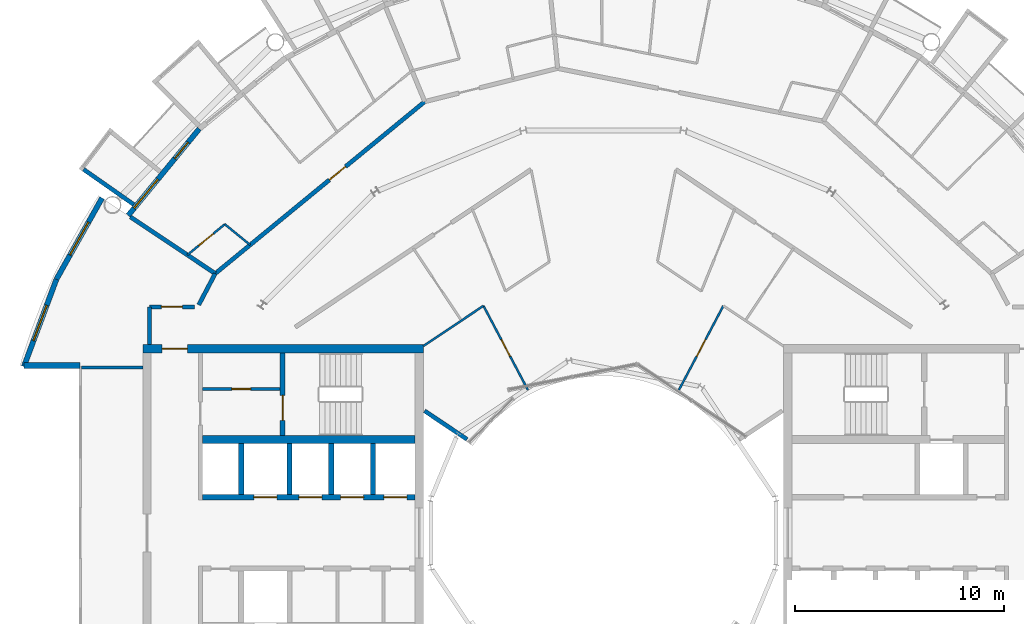
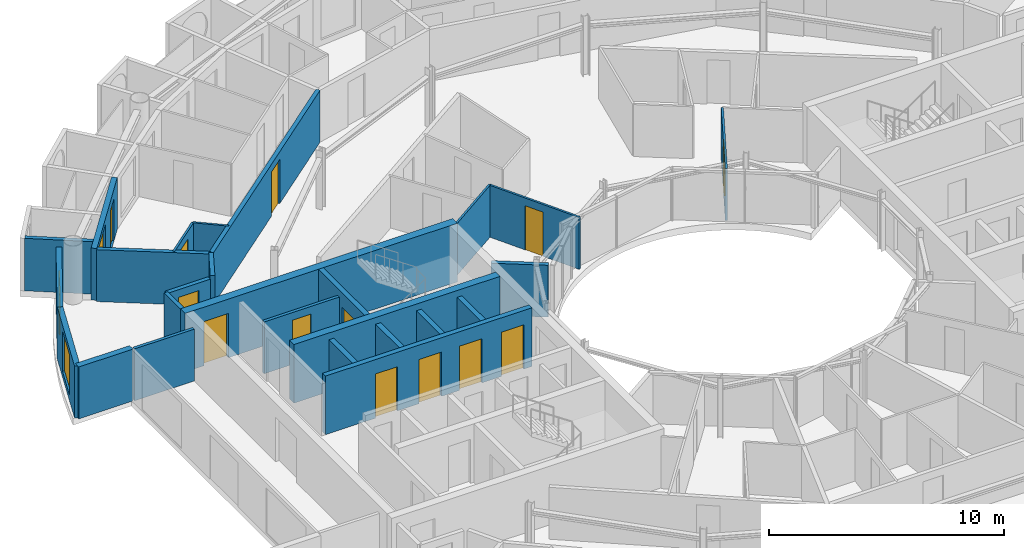
# One storey, part 20 of 28: 26 walls, 13 doors, 3 windows, 16 openings.
"""IFC4 building model written with IfcOpenShell, lengths in metres."""

from ifc_helpers import new_model, si_unit, direction, frame, frame_2d, origin, place, context, subcontext, project, spatial, rectangle, extrude, material, layer, layer_set, type_object, element, fill, save


model = new_model("IFC4")

# Units and contexts
model_context = context("Model", 3, precision=1e-05, world=origin(), true_north=direction((0.0, 1.0)))
body_context = subcontext(model_context, "Body", "Model", "MODEL_VIEW")
ifc_project = project(units=[si_unit("LENGTHUNIT", "METRE"), si_unit("AREAUNIT", "SQUARE_METRE"), si_unit("VOLUMEUNIT", "CUBIC_METRE"), si_unit("PLANEANGLEUNIT", "RADIAN"), si_unit("MASSUNIT", "GRAM", prefix="KILO")], contexts=[model_context])

# Site, building, storey
site_placement = place(None, origin())
site = spatial("IfcSite", under=ifc_project, at=site_placement, CompositionType="ELEMENT")
building_placement = place(site_placement, origin())
building = spatial("IfcBuilding", under=site, at=building_placement, Name="Maasbend Ring Residences", CompositionType="ELEMENT")
storey_placement = place(building_placement, frame((0.0, 0.0, 227.949951171875)))
storey = spatial("IfcBuildingStorey", under=building, at=storey_placement, Name="L65", CompositionType="ELEMENT", Elevation=227.949951171875)

# Wall, openings, doors
ifc_material_1 = material(Name="Concrete C50/60", Category="concrete")
ifc_layer_1 = layer(ifc_material_1, 0.25)
ifc_layer_set_1 = layer_set([ifc_layer_1], Name="Concrete C50/60")
wall_type_1 = type_object("IfcWallType", Name="CORE WALL 250 C50/60", PredefinedType="SHEAR", material=ifc_layer_set_1)
wall_1_placement = place(storey_placement, frame((-9.0, 1.699951171875, 0.0), z_axis=(0.0, 0.0, 1.0), x_axis=(-1.0, 0.0, 0.0)))
wall_1 = element("IfcWall", 1, at=wall_1_placement, inside=storey, type_object=wall_type_1, Name="L65 core W wall SPS", PredefinedType="SHEAR", context=body_context, shape_type="SweptSolid", body=[
    extrude(rectangle(XDim=10.14990234375, YDim=0.25, at=frame_2d((5.074951171875, 0.0))), origin(), (0.0, 0.0, 1.0), 3.050048828125),
])
opening_1_placement = place(wall_1_placement, frame((0.387451171875, 0.0, 0.0)))
opening_1 = element("IfcOpeningElement", 2, at=opening_1_placement, cuts=wall_1, Name="Opening LD-W6502", PredefinedType="OPENING", context=body_context, shape_type="SweptSolid", body=[
    extrude(rectangle(XDim=1.10009765625, YDim=2.300048828125, at=frame_2d((0.550048828125, 1.14990234375))), frame((0.0, 0.135009765625, 0.0), z_axis=(0.0, -1.0, 0.0), x_axis=(1.0, 0.0, 0.0)), (0.0, 0.0, 1.0), 0.27001953125),
])
opening_2_placement = place(wall_1_placement, frame((2.449951171875, 0.0, 0.0)))
opening_2 = element("IfcOpeningElement", 3, at=opening_2_placement, cuts=wall_1, Name="Opening LD-W6503", PredefinedType="OPENING", context=body_context, shape_type="SweptSolid", body=[
    extrude(rectangle(XDim=1.10009765625, YDim=2.300048828125, at=frame_2d((0.550048828125, 1.14990234375))), frame((0.0, 0.135009765625, 0.0), z_axis=(0.0, -1.0, 0.0), x_axis=(1.0, 0.0, 0.0)), (0.0, 0.0, 1.0), 0.27001953125),
])
opening_3_placement = place(wall_1_placement, frame((4.449951171875, 0.0, 0.0)))
opening_3 = element("IfcOpeningElement", 4, at=opening_3_placement, cuts=wall_1, Name="Opening LD-W6504", PredefinedType="OPENING", context=body_context, shape_type="SweptSolid", body=[
    extrude(rectangle(XDim=1.10009765625, YDim=2.300048828125, at=frame_2d((0.550048828125, 1.14990234375))), frame((0.0, 0.135009765625, 0.0), z_axis=(0.0, -1.0, 0.0), x_axis=(1.0, 0.0, 0.0)), (0.0, 0.0, 1.0), 0.27001953125),
])
opening_4_placement = place(wall_1_placement, frame((6.60009765625, 0.0, 0.0)))
opening_4 = element("IfcOpeningElement", 5, at=opening_4_placement, cuts=wall_1, Name="Opening LD-W6505", PredefinedType="OPENING", context=body_context, shape_type="SweptSolid", body=[
    extrude(rectangle(XDim=1.10009765625, YDim=2.300048828125, at=frame_2d((0.550048828125, 1.14990234375))), frame((0.0, 0.135009765625, 0.0), z_axis=(0.0, -1.0, 0.0), x_axis=(1.0, 0.0, 0.0)), (0.0, 0.0, 1.0), 0.27001953125),
])
ifc_material_2 = material(Name="Stainless steel 316", Category="steel")
door_type_1 = type_object("IfcDoorType", Name="LANDING DOOR 1100 X 2300 FD60", OperationType="DOUBLE_DOOR_SLIDING", PredefinedType="DOOR", material=ifc_material_2)
door_1_placement = place(opening_1_placement, origin())
door_1 = element("IfcDoor", 6, at=door_1_placement, inside=storey, type_object=door_type_1, Name="Landing door HR-W1 L65", OperationType="DOUBLE_DOOR_SLIDING", OverallHeight=2.300048828125, OverallWidth=1.10009765625, PredefinedType="DOOR", context=body_context, shape_type="SweptSolid", body=[
    extrude(rectangle(XDim=1.10009765625, YDim=2.300048828125, at=frame_2d((0.550048828125, 1.14990234375))), frame((0.0, 0.02490234375, 0.0), z_axis=(0.0, -1.0, 0.0), x_axis=(1.0, 0.0, 0.0)), (0.0, 0.0, 1.0), 0.050048828125),
])
fill(opening_1, door_1)
door_2_placement = place(opening_2_placement, origin())
door_2 = element("IfcDoor", 7, at=door_2_placement, inside=storey, type_object=door_type_1, Name="Landing door HR-W2 L65", OperationType="DOUBLE_DOOR_SLIDING", OverallHeight=2.300048828125, OverallWidth=1.10009765625, PredefinedType="DOOR", context=body_context, shape_type="SweptSolid", body=[
    extrude(rectangle(XDim=1.10009765625, YDim=2.300048828125, at=frame_2d((0.550048828125, 1.14990234375))), frame((0.0, 0.02490234375, 0.0), z_axis=(0.0, -1.0, 0.0), x_axis=(1.0, 0.0, 0.0)), (0.0, 0.0, 1.0), 0.050048828125),
])
fill(opening_2, door_2)
door_3_placement = place(opening_3_placement, origin())
door_3 = element("IfcDoor", 8, at=door_3_placement, inside=storey, type_object=door_type_1, Name="Landing door HR-W3 L65", OperationType="DOUBLE_DOOR_SLIDING", OverallHeight=2.300048828125, OverallWidth=1.10009765625, PredefinedType="DOOR", context=body_context, shape_type="SweptSolid", body=[
    extrude(rectangle(XDim=1.10009765625, YDim=2.300048828125, at=frame_2d((0.550048828125, 1.14990234375))), frame((0.0, 0.02490234375, 0.0), z_axis=(0.0, -1.0, 0.0), x_axis=(1.0, 0.0, 0.0)), (0.0, 0.0, 1.0), 0.050048828125),
])
fill(opening_3, door_3)
door_4_placement = place(opening_4_placement, origin())
door_4 = element("IfcDoor", 9, at=door_4_placement, inside=storey, type_object=door_type_1, Name="Landing door SV-W L65", OperationType="DOUBLE_DOOR_SLIDING", OverallHeight=2.300048828125, OverallWidth=1.10009765625, PredefinedType="DOOR", context=body_context, shape_type="SweptSolid", body=[
    extrude(rectangle(XDim=1.10009765625, YDim=2.300048828125, at=frame_2d((0.550048828125, 1.14990234375))), frame((0.0, 0.02490234375, 0.0), z_axis=(0.0, -1.0, 0.0), x_axis=(1.0, 0.0, 0.0)), (0.0, 0.0, 1.0), 0.050048828125),
])
fill(opening_4, door_4)

# Wall, opening, door
wall_2_placement = place(storey_placement, frame((-15.324951171875, 8.60009765625, 0.0), z_axis=(0.0, 0.0, 1.0), x_axis=(0.0, -1.0, 0.0)))
wall_2 = element("IfcWall", 10, at=wall_2_placement, inside=storey, type_object=wall_type_1, Name="L65 core W wall STES", PredefinedType="SHEAR", context=body_context, shape_type="SweptSolid", body=[
    extrude(rectangle(XDim=3.9501953125, YDim=0.25, at=frame_2d((1.97509765625, 0.0))), origin(), (0.0, 0.0, 1.0), 3.050048828125),
])
opening_5_placement = place(wall_2_placement, frame((2.02490234375, 0.0, 0.0)))
opening_5 = element("IfcOpeningElement", 11, at=opening_5_placement, cuts=wall_2, Name="Opening D-W6512", PredefinedType="OPENING", context=body_context, shape_type="SweptSolid", body=[
    extrude(rectangle(XDim=1.199951171875, YDim=2.300048828125, at=frame_2d((0.60009765625, 1.14990234375))), frame((0.0, 0.135009765625, 0.0), z_axis=(0.0, -1.0, 0.0), x_axis=(1.0, 0.0, 0.0)), (0.0, 0.0, 1.0), 0.27001953125),
])
ifc_material_3 = material(Name="Steel, powder coated", Category="steel")
door_type_2 = type_object("IfcDoorType", Name="STAIR DOOR 1200 X 2300 FD60", OperationType="NOTDEFINED", PredefinedType="DOOR", material=ifc_material_3)
door_5_placement = place(opening_5_placement, origin())
door_5 = element("IfcDoor", 12, at=door_5_placement, inside=storey, type_object=door_type_2, Name="Stair door ST-W L65", OperationType="SINGLE_SWING_LEFT", OverallHeight=2.300048828125, OverallWidth=1.199951171875, PredefinedType="DOOR", context=body_context, shape_type="SweptSolid", body=[
    extrude(rectangle(XDim=1.199951171875, YDim=2.300048828125, at=frame_2d((0.60009765625, 1.14990234375))), frame((0.0, 0.02490234375, 0.0), z_axis=(0.0, -1.0, 0.0), x_axis=(1.0, 0.0, 0.0)), (0.0, 0.0, 1.0), 0.050048828125),
])
fill(opening_5, door_5)

# Wall
ifc_material_4 = material(Name="Concrete C50/60", Category="concrete")
ifc_layer_2 = layer(ifc_material_4, 0.375)
ifc_layer_set_2 = layer_set([ifc_layer_2], Name="Concrete C50/60")
wall_type_2 = type_object("IfcWallType", Name="CORE WALL 375 C50/60", PredefinedType="SHEAR", material=ifc_layer_set_2)
wall_3_placement = place(storey_placement, frame((-9.0, 4.46240234375, 0.0), z_axis=(0.0, 0.0, 1.0), x_axis=(-1.0, 0.0, 0.0)))
element("IfcWall", 13, at=wall_3_placement, inside=storey, type_object=wall_type_2, Name="L65 core W wall BS", PredefinedType="SHEAR", context=body_context, shape_type="SweptSolid", body=[
    extrude(rectangle(XDim=10.14990234375, YDim=0.375, at=frame_2d((5.074951171875, 0.0))), origin(), (0.0, 0.0, 1.0), 3.050048828125),
])

# Wall, opening, door
ifc_material_5 = material(Name="Concrete C50/60", Category="concrete")
ifc_layer_3 = layer(ifc_material_5, 0.39990234375)
ifc_layer_set_3 = layer_set([ifc_layer_3], Name="Concrete C50/60")
wall_type_3 = type_object("IfcWallType", Name="CORE WALL 400 C50/60", PredefinedType="SHEAR", material=ifc_layer_set_3)
wall_4_placement = place(storey_placement, frame((-8.60009765625, 8.800048828125, 0.0), z_axis=(0.0, 0.0, 1.0), x_axis=(-1.0, 0.0, 0.0)))
wall_4 = element("IfcWall", 14, at=wall_4_placement, inside=storey, type_object=wall_type_3, Name="L65 core W wall PS", PredefinedType="SHEAR", context=body_context, shape_type="SweptSolid", body=[
    extrude(rectangle(XDim=13.39990234375, YDim=0.39990234375, at=frame_2d((6.699951171875, 0.0))), origin(), (0.0, 0.0, 1.0), 3.050048828125),
])
opening_6_placement = place(wall_4_placement, frame((11.27490234375, 0.0, 0.0)))
opening_6 = element("IfcOpeningElement", 15, at=opening_6_placement, cuts=wall_4, Name="Opening D-W6516", PredefinedType="OPENING", context=body_context, shape_type="SweptSolid", body=[
    extrude(rectangle(XDim=1.199951171875, YDim=2.300048828125, at=frame_2d((0.60009765625, 1.14990234375))), frame((0.0, 0.2099609375, 0.0), z_axis=(0.0, -1.0, 0.0), x_axis=(1.0, 0.0, 0.0)), (0.0, 0.0, 1.0), 0.419921875),
])
ifc_material_6 = material(Name="Steel, powder coated", Category="steel")
door_type_3 = type_object("IfcDoorType", Name="CORRIDOR DOOR 1200 X 2300 FD30S", OperationType="NOTDEFINED", PredefinedType="DOOR", material=ifc_material_6)
door_6_placement = place(opening_6_placement, origin())
door_6 = element("IfcDoor", 16, at=door_6_placement, inside=storey, type_object=door_type_3, Name="Corridor door L65", OperationType="SINGLE_SWING_LEFT", OverallHeight=2.300048828125, OverallWidth=1.199951171875, PredefinedType="DOOR", context=body_context, shape_type="SweptSolid", body=[
    extrude(rectangle(XDim=1.199951171875, YDim=2.300048828125, at=frame_2d((0.60009765625, 1.14990234375))), frame((0.0, 0.02490234375, 0.0), z_axis=(0.0, -1.0, 0.0), x_axis=(1.0, 0.0, 0.0)), (0.0, 0.0, 1.0), 0.050048828125),
])
fill(opening_6, door_6)

ifc_material_7 = material(Name="Concrete C30/37", Category="concrete")
ifc_layer_4 = layer(ifc_material_7, 0.199951171875)
ifc_layer_set_4 = layer_set([ifc_layer_4], Name="Concrete C30/37")
wall_type_4 = type_object("IfcWallType", Name="CORRIDOR WALL 200 CONCRETE", PredefinedType="PARTITIONING", material=ifc_layer_set_4)
wall_5_placement = place(storey_placement, frame((-21.675048828125, 10.800048828125, 0.0), z_axis=(0.0, 0.0, 1.0), x_axis=(1.0, 0.0, 0.0)))
wall_5 = element("IfcWall", 17, at=wall_5_placement, inside=storey, type_object=wall_type_4, Name="U-L65-w085", PredefinedType="PARTITIONING", context=body_context, shape_type="SweptSolid", body=[
    extrude(rectangle(XDim=2.132080078125, YDim=0.199951171875, at=frame_2d((1.06591796875, 0.0))), origin(), (0.0, 0.0, 1.0), 2.699951171875),
])
opening_7_placement = place(wall_5_placement, frame((0.56591796875, 0.0, 0.0)))
opening_7 = element("IfcOpeningElement", 18, at=opening_7_placement, cuts=wall_5, Name="Opening D-6558", PredefinedType="OPENING", context=body_context, shape_type="SweptSolid", body=[
    extrude(rectangle(XDim=1.0, YDim=2.300048828125, at=frame_2d((0.5, 1.14990234375))), frame((0.0, 0.10986328125, 0.0), z_axis=(0.0, -1.0, 0.0), x_axis=(1.0, 0.0, 0.0)), (0.0, 0.0, 1.0), 0.219970703125),
])
ifc_material_8 = material(Name="Timber, painted", Category="wood")
door_type_4 = type_object("IfcDoorType", Name="ROOM DOOR 1000 X 2300", OperationType="NOTDEFINED", PredefinedType="DOOR", material=ifc_material_8)
door_7_placement = place(opening_7_placement, origin())
door_7 = element("IfcDoor", 19, at=door_7_placement, inside=storey, type_object=door_type_4, Name="D-6558", OperationType="SINGLE_SWING_LEFT", OverallHeight=2.300048828125, OverallWidth=1.0, PredefinedType="DOOR", context=body_context, shape_type="SweptSolid", body=[
    extrude(rectangle(XDim=1.0, YDim=2.300048828125, at=frame_2d((0.5, 1.14990234375))), frame((0.0, 0.02490234375, 0.0), z_axis=(0.0, -1.0, 0.0), x_axis=(1.0, 0.0, 0.0)), (0.0, 0.0, 1.0), 0.050048828125),
])
fill(opening_7, door_7)

wall_6_placement = place(storey_placement, frame((-18.5419921875, 12.388916015625, 0.0), z_axis=(0.0, 0.0, 1.0), x_axis=(0.772983503654, 0.634426121056, 0.0)))
wall_6 = element("IfcWall", 20, at=wall_6_placement, inside=storey, type_object=wall_type_4, Name="U-L65-w093", PredefinedType="PARTITIONING", context=body_context, shape_type="SweptSolid", body=[
    extrude(rectangle(XDim=12.947265625, YDim=0.199951171875, at=frame_2d((6.4736328125, 0.0))), origin(), (0.0, 0.0, 1.0), 2.699951171875),
])
opening_8_placement = place(wall_6_placement, frame((7.052978515625, 0.0, 0.0)))
opening_8 = element("IfcOpeningElement", 21, at=opening_8_placement, cuts=wall_6, Name="Opening D-6514", PredefinedType="OPENING", context=body_context, shape_type="SweptSolid", body=[
    extrude(rectangle(XDim=1.0, YDim=2.300048828125, at=frame_2d((0.5, 1.14990234375))), frame((0.0, 0.10986328125, 0.0), z_axis=(0.0, -1.0, 0.0), x_axis=(1.0, 0.0, 0.0)), (0.0, 0.0, 1.0), 0.219970703125),
])
ifc_material_9 = material(Name="Timber, fire-rated, painted", Category="wood")
door_type_5 = type_object("IfcDoorType", Name="FLAT ENTRANCE DOOR 1000 X 2300 FIRE-RATED", OperationType="NOTDEFINED", PredefinedType="DOOR", material=ifc_material_9)
door_8_placement = place(opening_8_placement, origin())
door_8 = element("IfcDoor", 22, at=door_8_placement, inside=storey, type_object=door_type_5, Name="D-6514", OperationType="SINGLE_SWING_RIGHT", OverallHeight=2.300048828125, OverallWidth=1.0, PredefinedType="DOOR", context=body_context, shape_type="SweptSolid", body=[
    extrude(rectangle(XDim=1.0, YDim=2.300048828125, at=frame_2d((0.5, 1.14990234375))), frame((0.0, 0.02490234375, 0.0), z_axis=(0.0, -1.0, 0.0), x_axis=(1.0, 0.0, 0.0)), (0.0, 0.0, 1.0), 0.050048828125),
])
fill(opening_8, door_8)

# Walls
wall_7_placement = place(storey_placement, frame((-21.675048828125, 9.0, 0.0), z_axis=(0.0, 0.0, 1.0), x_axis=(0.0, 1.0, 0.0)))
element("IfcWall", 23, at=wall_7_placement, inside=storey, type_object=wall_type_4, Name="U-L65-w097", PredefinedType="PARTITIONING", context=body_context, shape_type="SweptSolid", body=[
    extrude(rectangle(XDim=1.800048828125, YDim=0.199951171875, at=frame_2d((0.89990234375, 0.0))), origin(), (0.0, 0.0, 1.0), 2.699951171875),
])
wall_8_placement = place(storey_placement, frame((-19.327880859375, 10.89599609375, 0.0), z_axis=(0.0, 0.0, 1.0), x_axis=(0.465812036273, 0.88488369115, 0.0)))
element("IfcWall", 24, at=wall_8_placement, inside=storey, type_object=wall_type_4, Name="U-L65-w099", PredefinedType="PARTITIONING", context=body_context, shape_type="SweptSolid", body=[
    extrude(rectangle(XDim=1.687255859375, YDim=0.199951171875, at=frame_2d((0.84375, 0.0))), origin(), (0.0, 0.0, 1.0), 2.699951171875),
])
ifc_material_10 = material(Name="Pale anodised aluminium panel", Category="aluminium")
ifc_layer_5 = layer(ifc_material_10, 0.199951171875)
ifc_layer_set_5 = layer_set([ifc_layer_5], Name="EW-BOX")
wall_type_5 = type_object("IfcWallType", Name="EW-BOX", PredefinedType="SOLIDWALL", material=ifc_layer_set_5)
wall_9_placement = place(storey_placement, frame((-22.43310546875, 15.68798828125, -0.030029296875), z_axis=(0.0, 0.0, 1.0), x_axis=(-0.819373043115, 0.573260687834, 0.0)))
element("IfcWall", 25, at=wall_9_placement, inside=storey, type_object=wall_type_5, Name="Box side wall N20 right", PredefinedType="SOLIDWALL", context=body_context, shape_type="SweptSolid", body=[
    extrude(rectangle(XDim=2.92529296875, YDim=0.199951171875, at=frame_2d((1.462646484375, 0.0))), origin(), (0.0, 0.0, 1.0), 2.72998046875),
])

# Wall, openings, door, window
ifc_material_11 = material(Name="Aluminium clad insulated panel", Category="aluminium")
ifc_layer_6 = layer(ifc_material_11, 0.25)
ifc_layer_set_6 = layer_set([ifc_layer_6], Name="EW-GL")
wall_type_6 = type_object("IfcWallType", Name="EW-GL", PredefinedType="SOLIDWALL", material=ifc_layer_set_6)
wall_10_placement = place(storey_placement, frame((-19.303955078125, 19.303955078125, 0.0), z_axis=(0.0, 0.0, 1.0), x_axis=(-0.634382322723, -0.773019449054, 0.0)))
wall_10 = element("IfcWall", 26, at=wall_10_placement, inside=storey, type_object=wall_type_6, Name="External wall N10", PredefinedType="SOLIDWALL", context=body_context, shape_type="SweptSolid", body=[
    extrude(rectangle(XDim=5.351806640625, YDim=0.25, at=frame_2d((2.67578125, 0.0))), origin(), (0.0, 0.0, 1.0), 2.699951171875),
])
opening_9_placement = place(wall_10_placement, frame((0.841064453125, 0.0, 0.0)))
opening_9 = element("IfcOpeningElement", 27, at=opening_9_placement, cuts=wall_10, Name="Opening D-LG", PredefinedType="OPENING", context=body_context, shape_type="SweptSolid", body=[
    extrude(rectangle(XDim=1.0, YDim=2.199951171875, at=frame_2d((0.5, 1.10009765625))), frame((0.0, 0.135009765625, 0.0), z_axis=(0.0, -1.0, 0.0), x_axis=(1.0, 0.0, 0.0)), (0.0, 0.0, 1.0), 0.27001953125),
])
opening_10_placement = place(wall_10_placement, frame((3.110595703125, 0.0, 0.300048828125)))
opening_10 = element("IfcOpeningElement", 28, at=opening_10_placement, cuts=wall_10, Name="Opening W-BX", PredefinedType="OPENING", context=body_context, shape_type="SweptSolid", body=[
    extrude(rectangle(XDim=1.800048828125, YDim=2.10009765625, at=frame_2d((0.89990234375, 1.050048828125))), frame((0.0, 0.135009765625, 0.0), z_axis=(0.0, -1.0, 0.0), x_axis=(1.0, 0.0, 0.0)), (0.0, 0.0, 1.0), 0.27001953125),
])
ifc_material_12 = material(Name="Aluminium and clear glass", Category="aluminium")
door_type_6 = type_object("IfcDoorType", Name="D-LG", OperationType="SINGLE_SWING_LEFT", PredefinedType="DOOR", material=ifc_material_12)
door_9_placement = place(opening_9_placement, origin())
door_9 = element("IfcDoor", 29, at=door_9_placement, inside=storey, type_object=door_type_6, Name="Loggia door N19", OperationType="SINGLE_SWING_LEFT", OverallHeight=2.199951171875, OverallWidth=1.0, PredefinedType="DOOR", context=body_context, shape_type="SweptSolid", body=[
    extrude(rectangle(XDim=1.0, YDim=2.199951171875, at=frame_2d((0.5, 1.10009765625))), frame((0.0, 0.02490234375, 0.0), z_axis=(0.0, -1.0, 0.0), x_axis=(1.0, 0.0, 0.0)), (0.0, 0.0, 1.0), 0.050048828125),
])
fill(opening_9, door_9)
ifc_material_13 = material(Name="Aluminium and clear glass", Category="aluminium")
window_type = type_object("IfcWindowType", Name="W-BX", PartitioningType="DOUBLE_PANEL_VERTICAL", PredefinedType="WINDOW", material=ifc_material_13)
window_1_placement = place(opening_10_placement, origin())
window_1 = element("IfcWindow", 30, at=window_1_placement, inside=storey, type_object=window_type, Name="Window N20 room to box", OverallHeight=2.10009765625, OverallWidth=1.800048828125, PartitioningType="SINGLE_PANEL", PredefinedType="WINDOW", context=body_context, shape_type="SweptSolid", body=[
    extrude(rectangle(XDim=1.800048828125, YDim=2.10009765625, at=frame_2d((0.89990234375, 1.050048828125))), frame((0.0, 0.030029296875, 0.0), z_axis=(0.0, -1.0, 0.0), x_axis=(1.0, 0.0, 0.0)), (0.0, 0.0, 1.0), 0.06005859375),
])
fill(opening_10, window_1)

# Wall, opening, window
ifc_material_14 = material(Name="Aluminium clad insulated panel", Category="aluminium")
ifc_layer_7 = layer(ifc_material_14, 0.25)
ifc_layer_set_7 = layer_set([ifc_layer_7], Name="EW-HORN")
wall_type_7 = type_object("IfcWallType", Name="EW-HORN", PredefinedType="SOLIDWALL", material=ifc_layer_set_7)
wall_11_placement = place(storey_placement, frame((-23.946044921875, 16.0, 0.0), z_axis=(0.0, 0.0, 1.0), x_axis=(-0.489696356642, -0.871893042919, 0.0)))
wall_11 = element("IfcWall", 31, at=wall_11_placement, inside=storey, type_object=wall_type_7, Name="Horn wall 4.1", PredefinedType="SOLIDWALL", context=body_context, shape_type="SweptSolid", body=[
    extrude(rectangle(XDim=4.45361328125, YDim=0.25, at=frame_2d((2.226806640625, 0.0))), origin(), (0.0, 0.0, 1.0), 2.699951171875),
])
opening_11_placement = place(wall_11_placement, frame((1.32666015625, 0.0, 0.300048828125)))
opening_11 = element("IfcOpeningElement", 32, at=opening_11_placement, cuts=wall_11, Name="Opening W-BX", PredefinedType="OPENING", context=body_context, shape_type="SweptSolid", body=[
    extrude(rectangle(XDim=1.800048828125, YDim=2.10009765625, at=frame_2d((0.89990234375, 1.050048828125))), frame((0.0, 0.135009765625, 0.0), z_axis=(0.0, -1.0, 0.0), x_axis=(1.0, 0.0, 0.0)), (0.0, 0.0, 1.0), 0.27001953125),
])
window_2_placement = place(opening_11_placement, origin())
window_2 = element("IfcWindow", 33, at=window_2_placement, inside=storey, type_object=window_type, Name="Horn window 4.1", OverallHeight=2.10009765625, OverallWidth=1.800048828125, PartitioningType="SINGLE_PANEL", PredefinedType="WINDOW", context=body_context, shape_type="SweptSolid", body=[
    extrude(rectangle(XDim=1.800048828125, YDim=2.10009765625, at=frame_2d((0.89990234375, 1.050048828125))), frame((0.0, 0.030029296875, 0.0), z_axis=(0.0, -1.0, 0.0), x_axis=(1.0, 0.0, 0.0)), (0.0, 0.0, 1.0), 0.06005859375),
])
fill(opening_11, window_2)

wall_12_placement = place(storey_placement, frame((-26.126953125, 12.116943359375, 0.0), z_axis=(0.0, 0.0, 1.0), x_axis=(-0.349247811493, -0.937030397675, 0.0)))
wall_12 = element("IfcWall", 34, at=wall_12_placement, inside=storey, type_object=wall_type_7, Name="Horn wall 4.2", PredefinedType="SOLIDWALL", context=body_context, shape_type="SweptSolid", body=[
    extrude(rectangle(XDim=4.4521484375, YDim=0.25, at=frame_2d((2.22607421875, 0.0))), origin(), (0.0, 0.0, 1.0), 2.699951171875),
])
opening_12_placement = place(wall_12_placement, frame((1.32666015625, 0.0, 0.300048828125)))
opening_12 = element("IfcOpeningElement", 35, at=opening_12_placement, cuts=wall_12, Name="Opening W-BX", PredefinedType="OPENING", context=body_context, shape_type="SweptSolid", body=[
    extrude(rectangle(XDim=1.800048828125, YDim=2.10009765625, at=frame_2d((0.89990234375, 1.050048828125))), frame((0.0, 0.135009765625, 0.0), z_axis=(0.0, -1.0, 0.0), x_axis=(1.0, 0.0, 0.0)), (0.0, 0.0, 1.0), 0.27001953125),
])
window_3_placement = place(opening_12_placement, origin())
window_3 = element("IfcWindow", 36, at=window_3_placement, inside=storey, type_object=window_type, Name="Horn window 4.2", OverallHeight=2.10009765625, OverallWidth=1.800048828125, PartitioningType="SINGLE_PANEL", PredefinedType="WINDOW", context=body_context, shape_type="SweptSolid", body=[
    extrude(rectangle(XDim=1.800048828125, YDim=2.10009765625, at=frame_2d((0.89990234375, 1.050048828125))), frame((0.0, 0.030029296875, 0.0), z_axis=(0.0, -1.0, 0.0), x_axis=(1.0, 0.0, 0.0)), (0.0, 0.0, 1.0), 0.06005859375),
])
fill(opening_12, window_3)

# Walls
ifc_material_15 = material(Name="Aluminium clad insulated panel", Category="aluminium")
ifc_layer_8 = layer(ifc_material_15, 0.300048828125)
ifc_layer_set_8 = layer_set([ifc_layer_8], Name="EW-RET")
wall_type_8 = type_object("IfcWallType", Name="EW-RET", PredefinedType="SOLIDWALL", material=ifc_layer_set_8)
wall_13_placement = place(storey_placement, frame((-25.0, 8.0, 0.0), z_axis=(0.0, 0.0, 1.0), x_axis=(-1.0, 0.0, 0.0)))
element("IfcWall", 37, at=wall_13_placement, inside=storey, type_object=wall_type_8, Name="Notch return wall west north", PredefinedType="SOLIDWALL", context=body_context, shape_type="SweptSolid", body=[
    extrude(rectangle(XDim=2.6669921875, YDim=0.300048828125, at=frame_2d((1.33349609375, 0.0))), origin(), (0.0, 0.0, 1.0), 2.699951171875),
])
ifc_material_16 = material(Name="Gypsum board on steel studs", Category="steel")
ifc_layer_9 = layer(ifc_material_16, 0.10009765625)
ifc_layer_set_9 = layer_set([ifc_layer_9], Name="PARTITION 100 GYPSUM")
wall_type_9 = type_object("IfcWallType", Name="PARTITION 100 GYPSUM", PredefinedType="PARTITIONING", material=ifc_layer_set_9)
wall_14_placement = place(storey_placement, frame((-18.083984375, 14.7451171875, 0.0), z_axis=(0.0, 0.0, 1.0), x_axis=(0.774869051393, -0.632121786679, 0.0)))
element("IfcWall", 38, at=wall_14_placement, inside=storey, type_object=wall_type_9, Name="U-L65-w035", PredefinedType="PARTITIONING", context=body_context, shape_type="SweptSolid", body=[
    extrude(rectangle(XDim=1.5615234375, YDim=0.10009765625, at=frame_2d((0.78076171875, 0.0))), origin(), (0.0, 0.0, 1.0), 2.699951171875),
])

# Wall, opening, door
wall_15_placement = place(storey_placement, frame((-5.72900390625, 10.84912109375, 0.0), z_axis=(0.0, 0.0, 1.0), x_axis=(0.466962677975, -0.884277025246, 0.0)))
wall_15 = element("IfcWall", 39, at=wall_15_placement, inside=storey, type_object=wall_type_9, Name="U-L65-w048", PredefinedType="PARTITIONING", context=body_context, shape_type="SweptSolid", body=[
    extrude(rectangle(XDim=4.548583984375, YDim=0.10009765625, at=frame_2d((2.2744140625, 0.0))), origin(), (0.0, 0.0, 1.0), 2.699951171875),
])
opening_13_placement = place(wall_15_placement, frame((1.823974609375, 0.0, 0.0)))
opening_13 = element("IfcOpeningElement", 40, at=opening_13_placement, cuts=wall_15, Name="Opening D-6526", PredefinedType="OPENING", context=body_context, shape_type="SweptSolid", body=[
    extrude(rectangle(XDim=0.89990234375, YDim=2.300048828125, at=frame_2d((0.449951171875, 1.14990234375))), frame((0.0, 0.06005859375, 0.0), z_axis=(0.0, -1.0, 0.0), x_axis=(1.0, 0.0, 0.0)), (0.0, 0.0, 1.0), 0.1201171875),
])
ifc_material_17 = material(Name="Timber, painted", Category="wood")
door_type_7 = type_object("IfcDoorType", Name="INTERNAL DOOR 900 X 2300", OperationType="NOTDEFINED", PredefinedType="DOOR", material=ifc_material_17)
door_10_placement = place(opening_13_placement, origin())
door_10 = element("IfcDoor", 41, at=door_10_placement, inside=storey, type_object=door_type_7, Name="D-6526", OperationType="SINGLE_SWING_RIGHT", OverallHeight=2.300048828125, OverallWidth=0.89990234375, PredefinedType="DOOR", context=body_context, shape_type="SweptSolid", body=[
    extrude(rectangle(XDim=0.89990234375, YDim=2.300048828125, at=frame_2d((0.449951171875, 1.14990234375))), frame((0.0, 0.02490234375, 0.0), z_axis=(0.0, -1.0, 0.0), x_axis=(1.0, 0.0, 0.0)), (0.0, 0.0, 1.0), 0.050048828125),
])
fill(opening_13, door_10)

wall_16_placement = place(storey_placement, frame((3.60498046875, 6.826904296875, 0.0), z_axis=(0.0, 0.0, 1.0), x_axis=(0.466962677975, 0.884277025246, 0.0)))
wall_16 = element("IfcWall", 42, at=wall_16_placement, inside=storey, type_object=wall_type_9, Name="U-L65-w059", PredefinedType="PARTITIONING", context=body_context, shape_type="SweptSolid", body=[
    extrude(rectangle(XDim=4.548583984375, YDim=0.10009765625, at=frame_2d((2.2744140625, 0.0))), origin(), (0.0, 0.0, 1.0), 2.699951171875),
])
opening_14_placement = place(wall_16_placement, frame((1.823974609375, 0.0, 0.0)))
opening_14 = element("IfcOpeningElement", 43, at=opening_14_placement, cuts=wall_16, Name="Opening D-6522", PredefinedType="OPENING", context=body_context, shape_type="SweptSolid", body=[
    extrude(rectangle(XDim=0.89990234375, YDim=2.300048828125, at=frame_2d((0.449951171875, 1.14990234375))), frame((0.0, 0.06005859375, 0.0), z_axis=(0.0, -1.0, 0.0), x_axis=(1.0, 0.0, 0.0)), (0.0, 0.0, 1.0), 0.1201171875),
])
door_11_placement = place(opening_14_placement, origin())
door_11 = element("IfcDoor", 44, at=door_11_placement, inside=storey, type_object=door_type_7, Name="D-6522", OperationType="SINGLE_SWING_LEFT", OverallHeight=2.300048828125, OverallWidth=0.89990234375, PredefinedType="DOOR", context=body_context, shape_type="SweptSolid", body=[
    extrude(rectangle(XDim=0.89990234375, YDim=2.300048828125, at=frame_2d((0.449951171875, 1.14990234375))), frame((0.0, 0.02490234375, 0.0), z_axis=(0.0, -1.0, 0.0), x_axis=(1.0, 0.0, 0.0)), (0.0, 0.0, 1.0), 0.050048828125),
])
fill(opening_14, door_11)

# Wall
wall_17_placement = place(storey_placement, frame((-8.60107421875, 8.928955078125, 0.0), z_axis=(0.0, 0.0, 1.0), x_axis=(0.831397130511, 0.555678694372, 0.0)))
element("IfcWall", 45, at=wall_17_placement, inside=storey, type_object=wall_type_9, Name="U-L65-w087", PredefinedType="PARTITIONING", context=body_context, shape_type="SweptSolid", body=[
    extrude(rectangle(XDim=3.453369140625, YDim=0.10009765625, at=frame_2d((1.7265625, 0.0))), origin(), (0.0, 0.0, 1.0), 2.699951171875),
])

# Wall, opening, door
wall_18_placement = place(storey_placement, frame((-19.8720703125, 13.278076171875, 0.0), z_axis=(0.0, 0.0, 1.0), x_axis=(0.773095932958, 0.634289112663, 0.0)))
wall_18 = element("IfcWall", 46, at=wall_18_placement, inside=storey, type_object=wall_type_9, Name="U-L65-w101", PredefinedType="PARTITIONING", context=body_context, shape_type="SweptSolid", body=[
    extrude(rectangle(XDim=2.31298828125, YDim=0.10009765625, at=frame_2d((1.156494140625, 0.0))), origin(), (0.0, 0.0, 1.0), 2.699951171875),
])
opening_15_placement = place(wall_18_placement, frame((0.7060546875, 0.0, 0.0)))
opening_15 = element("IfcOpeningElement", 47, at=opening_15_placement, cuts=wall_18, Name="Opening D-6515", PredefinedType="OPENING", context=body_context, shape_type="SweptSolid", body=[
    extrude(rectangle(XDim=0.89990234375, YDim=2.300048828125, at=frame_2d((0.449951171875, 1.14990234375))), frame((0.0, 0.06005859375, 0.0), z_axis=(0.0, -1.0, 0.0), x_axis=(1.0, 0.0, 0.0)), (0.0, 0.0, 1.0), 0.1201171875),
])
door_12_placement = place(opening_15_placement, origin())
door_12 = element("IfcDoor", 48, at=door_12_placement, inside=storey, type_object=door_type_7, Name="D-6515", OperationType="SINGLE_SWING_LEFT", OverallHeight=2.300048828125, OverallWidth=0.89990234375, PredefinedType="DOOR", context=body_context, shape_type="SweptSolid", body=[
    extrude(rectangle(XDim=0.89990234375, YDim=2.300048828125, at=frame_2d((0.449951171875, 1.14990234375))), frame((0.0, 0.02490234375, 0.0), z_axis=(0.0, -1.0, 0.0), x_axis=(1.0, 0.0, 0.0)), (0.0, 0.0, 1.0), 0.050048828125),
])
fill(opening_15, door_12)

ifc_material_18 = material(Name="Gypsum board on steel studs", Category="steel")
ifc_layer_10 = layer(ifc_material_18, 0.14990234375)
ifc_layer_set_10 = layer_set([ifc_layer_10], Name="PARTITION 150 EI 60")
wall_type_10 = type_object("IfcWallType", Name="PARTITION 150 EI 60", PredefinedType="PARTITIONING", material=ifc_layer_set_10)
wall_19_placement = place(storey_placement, frame((-15.449951171875, 6.875, 0.0), z_axis=(0.0, 0.0, 1.0), x_axis=(-1.0, 0.0, 0.0)))
wall_19 = element("IfcWall", 49, at=wall_19_placement, inside=storey, type_object=wall_type_10, Name="L65 core W wall RHS", PredefinedType="PARTITIONING", context=body_context, shape_type="SweptSolid", body=[
    extrude(rectangle(XDim=3.699951171875, YDim=0.14990234375, at=frame_2d((1.85009765625, 0.0))), origin(), (0.0, 0.0, 1.0), 2.699951171875),
])
opening_16_placement = place(wall_19_placement, frame((1.39990234375, 0.0, 0.0)))
opening_16 = element("IfcOpeningElement", 50, at=opening_16_placement, cuts=wall_19, Name="Opening D-W6510", PredefinedType="OPENING", context=body_context, shape_type="SweptSolid", body=[
    extrude(rectangle(XDim=0.89990234375, YDim=2.300048828125, at=frame_2d((0.449951171875, 1.14990234375))), frame((0.0, 0.0849609375, 0.0), z_axis=(0.0, -1.0, 0.0), x_axis=(1.0, 0.0, 0.0)), (0.0, 0.0, 1.0), 0.169921875),
])
ifc_material_19 = material(Name="Steel, powder coated", Category="steel")
door_type_8 = type_object("IfcDoorType", Name="RISER DOOR 900 X 2300 FD60", OperationType="NOTDEFINED", PredefinedType="DOOR", material=ifc_material_19)
door_13_placement = place(opening_16_placement, origin())
door_13 = element("IfcDoor", 51, at=door_13_placement, inside=storey, type_object=door_type_8, Name="Riser door L65", OperationType="SINGLE_SWING_LEFT", OverallHeight=2.300048828125, OverallWidth=0.89990234375, PredefinedType="DOOR", context=body_context, shape_type="SweptSolid", body=[
    extrude(rectangle(XDim=0.89990234375, YDim=2.300048828125, at=frame_2d((0.449951171875, 1.14990234375))), frame((0.0, 0.02490234375, 0.0), z_axis=(0.0, -1.0, 0.0), x_axis=(1.0, 0.0, 0.0)), (0.0, 0.0, 1.0), 0.050048828125),
])
fill(opening_16, door_13)

# Walls
wall_20_placement = place(storey_placement, frame((-22.0, 7.89990234375, 0.0), z_axis=(0.0, 0.0, 1.0), x_axis=(-1.0, 0.0, 0.0)))
element("IfcWall", 52, at=wall_20_placement, inside=storey, type_object=wall_type_10, Name="L65 core W wall CITS", PredefinedType="PARTITIONING", context=body_context, shape_type="SweptSolid", body=[
    extrude(rectangle(XDim=2.93994140625, YDim=0.14990234375, at=frame_2d((1.469970703125, 0.0))), origin(), (0.0, 0.0, 1.0), 2.699951171875),
])
ifc_material_20 = material(Name="Concrete C30/37", Category="concrete")
ifc_layer_11 = layer(ifc_material_20, 0.199951171875)
ifc_layer_set_11 = layer_set([ifc_layer_11], Name="Concrete C30/37")
wall_type_11 = type_object("IfcWallType", Name="PARTY WALL 200 CONCRETE", PredefinedType="PARTITIONING", material=ifc_layer_set_11)
wall_21_placement = place(storey_placement, frame((-22.594970703125, 15.097900390625, 0.0), z_axis=(0.0, 0.0, 1.0), x_axis=(0.831387096605, -0.55569370664, 0.0)))
element("IfcWall", 53, at=wall_21_placement, inside=storey, type_object=wall_type_11, Name="U-L65-w033", PredefinedType="PARTITIONING", context=body_context, shape_type="SweptSolid", body=[
    extrude(rectangle(XDim=4.875, YDim=0.199951171875, at=frame_2d((2.4375, 0.0))), origin(), (0.0, 0.0, 1.0), 2.699951171875),
])
wall_22_placement = place(storey_placement, frame((-6.512939453125, 4.471923828125, 0.0), z_axis=(0.0, 0.0, 1.0), x_axis=(-0.831450132577, 0.555599385382, 0.0)))
element("IfcWall", 54, at=wall_22_placement, inside=storey, type_object=wall_type_11, Name="U-L65-w083", PredefinedType="PARTITIONING", context=body_context, shape_type="SweptSolid", body=[
    extrude(rectangle(XDim=2.442626953125, YDim=0.199951171875, at=frame_2d((1.22119140625, 0.0))), origin(), (0.0, 0.0, 1.0), 2.699951171875),
])
ifc_material_21 = material(Name="Concrete C30/37", Category="concrete")
ifc_layer_12 = layer(ifc_material_21, 0.25)
ifc_layer_set_12 = layer_set([ifc_layer_12], Name="Concrete C30/37")
wall_type_12 = type_object("IfcWallType", Name="SHAFT WALL 250 EI 120", PredefinedType="SOLIDWALL", material=ifc_layer_set_12)
for number, where, z_axis, x_axis, name in (
    (55, (-15.0, 1.824951171875, 0.0), (0.0, 0.0, 1.0), (0.0, 1.0, 0.0), "L65 core W wall D150S"),
    (56, (-17.300048828125, 1.824951171875, 0.0), (0.0, 0.0, 1.0), (0.0, 1.0, 0.0), "L65 core W wall D173S"),
    (57, (-11.0, 1.824951171875, 0.0), (0.0, 0.0, 1.0), (0.0, 1.0, 0.0), "L65 core W wall D110S"),
    (58, (-13.0, 1.824951171875, 0.0), (0.0, 0.0, 1.0), (0.0, 1.0, 0.0), "L65 core W wall D130S"),
):
    element("IfcWall", number, at=place(storey_placement, frame(where, z_axis=z_axis, x_axis=x_axis)), inside=storey, type_object=wall_type_12, Name=name, PredefinedType="SOLIDWALL", context=body_context, shape_type="SweptSolid", body=[
        extrude(rectangle(XDim=2.449951171875, YDim=0.25, at=frame_2d((1.22509765625, 0.0))), origin(), (0.0, 0.0, 1.0), 2.699951171875),
    ])

save(model, "model.ifc")
